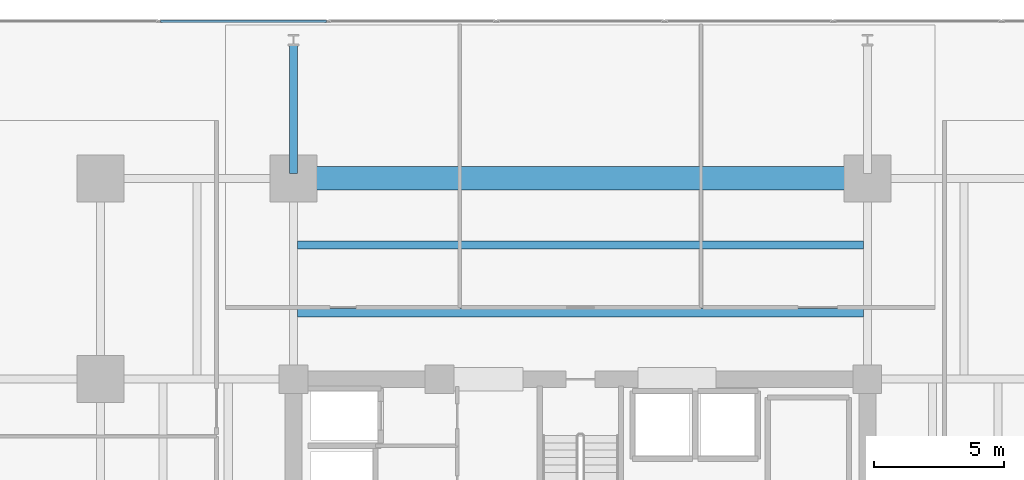
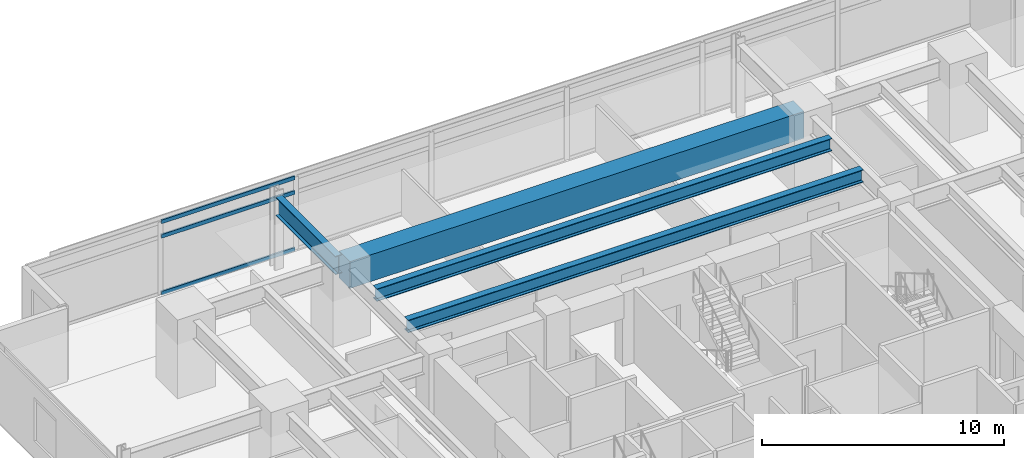
# One storey, part 9 of 23: 4 beams, 3 members, 1 element without a shape of its own.
"""IFC4 building model written with IfcOpenShell, lengths in metres."""

from ifc_helpers import new_model, si_unit, direction, frame, origin, origin_2d, place, context, subcontext, project, spatial, rectangle, hollow_rectangle, i_section, extrude, material, material_profile, profile_set, type_object, element, aggregate, save


model = new_model("IFC4")

# Units and contexts
model_context = context("Model", 3, precision=1e-05, world=origin(), true_north=direction((0.0, 1.0)))
body_context = subcontext(model_context, "Body", "Model", "MODEL_VIEW")
ifc_project = project(units=[si_unit("LENGTHUNIT", "METRE"), si_unit("AREAUNIT", "SQUARE_METRE"), si_unit("VOLUMEUNIT", "CUBIC_METRE"), si_unit("PLANEANGLEUNIT", "RADIAN"), si_unit("MASSUNIT", "GRAM", prefix="KILO")], contexts=[model_context])

# Site, building, storey
site_placement = place(None, origin())
site = spatial("IfcSite", under=ifc_project, at=site_placement, CompositionType="ELEMENT")
building_placement = place(site_placement, origin())
building = spatial("IfcBuilding", under=site, at=building_placement, Name="Kovane Verandah Tower", CompositionType="ELEMENT")
storey_placement = place(building_placement, frame((0.0, 0.0, 103.60009765625)))
storey = spatial("IfcBuildingStorey", under=building, at=storey_placement, Name="L24", CompositionType="ELEMENT", Elevation=103.60009765625)

# Beams
ifc_material_1 = material(Name="Concrete C80/95", Category="concrete")
ifc_material_profile_1 = material_profile(ifc_material_1, rectangle(XDim=0.89990234375, YDim=1.35009765625, at=origin_2d()), Name="RCB900x1350")
ifc_profile_set_1 = profile_set([ifc_material_profile_1], Name="Concrete C80/95")
beam_type_1 = type_object("IfcBeamType", Name="BM-TR-900x1350", PredefinedType="BEAM", material=ifc_profile_set_1)
beam_1_placement = place(storey_placement, frame((29.179931640625, 44.199951171875, 3.02490234375), z_axis=(1.0, 0.0, 0.0), x_axis=(0.0, 1.0, 0.0)))
element("IfcBeam", 1, at=beam_1_placement, inside=storey, type_object=beam_type_1, Name="L24 Primary Tower Girder G-RN2", PredefinedType="BEAM", context=body_context, shape_type="SweptSolid", body=[
    extrude(rectangle(XDim=0.89990234375, YDim=1.35009765625, at=origin_2d()), origin(), (0.0, 0.0, 1.0), 21.64013671875),
])
ifc_material_2 = material(Name="Steel S460", Category="steel")
ifc_material_profile_2 = material_profile(ifc_material_2, i_section(OverallWidth=0.311279296875, OverallDepth=0.6357421875, WebThickness=0.018310546875, FlangeThickness=0.031494140625, FilletRadius=0.0166015625, at=origin_2d()), Name="UB610x305x238")
ifc_profile_set_2 = profile_set([ifc_material_profile_2], Name="Steel S460")
beam_type_2 = type_object("IfcBeamType", Name="BM-UB610x238", PredefinedType="BEAM", material=ifc_profile_set_2)
for number, where, z_axis, x_axis, name in (
    (2, (29.15185546875, 39.050048828125, 3.382080078125), (1.0, 0.0, 0.0), (0.0, 1.0, 0.0), "L24 Secondary Composite Joist J-N1"),
    (3, (29.15185546875, 41.64990234375, 3.382080078125), (1.0, 0.0, 0.0), (0.0, 1.0, 0.0), "L24 Secondary Composite Joist J-N2"),
):
    element("IfcBeam", number, at=place(storey_placement, frame(where, z_axis=z_axis, x_axis=x_axis)), inside=storey, type_object=beam_type_2, Name=name, PredefinedType="BEAM", context=body_context, shape_type="SweptSolid", body=[
        extrude(i_section(OverallWidth=0.311279296875, OverallDepth=0.6357421875, WebThickness=0.018310546875, FlangeThickness=0.031494140625, FilletRadius=0.0166015625, at=origin_2d()), origin(), (0.0, 0.0, 1.0), 21.6962890625),
    ])
ifc_material_profile_3 = material_profile(ifc_material_2, i_section(OverallWidth=0.3076171875, OverallDepth=0.926513671875, WebThickness=0.01953125, FlangeThickness=0.031982421875, FilletRadius=0.01904296875, at=origin_2d()), Name="UB914x305x289")
ifc_profile_set_3 = profile_set([ifc_material_profile_3], Name="Steel S460")
beam_type_3 = type_object("IfcBeamType", Name="BM-UB914x289", PredefinedType="BEAM", material=ifc_profile_set_3)
beam_2_placement = place(storey_placement, frame((29.0, 44.3798828125, 3.236572265625), z_axis=(0.0, 1.0, 0.0), x_axis=(-1.0, 0.0, 0.0)))
element("IfcBeam", 4, at=beam_2_placement, inside=storey, type_object=beam_type_3, Name="L24 Primary Tower Girder G-VN1", PredefinedType="BEAM", context=body_context, shape_type="SweptSolid", body=[
    extrude(i_section(OverallWidth=0.3076171875, OverallDepth=0.926513671875, WebThickness=0.01953125, FlangeThickness=0.031982421875, FilletRadius=0.01904296875, at=origin_2d()), origin(), (0.0, 0.0, 1.0), 4.940185546875),
])

# Curtain wall, members
ifc_material_3 = material(Name="Champagne Anodised Aluminium Frame with Low-E Clear Laminated Glass", Category="aluminium")
curtain_wall_type = type_object("IfcCurtainWallType", Name="CW-SYS-02-LOW", PredefinedType="NOTDEFINED", material=ifc_material_3)
curtain_wall_placement = place(storey_placement, origin())
curtain_wall = element("IfcCurtainWall", 5, at=curtain_wall_placement, inside=storey, type_object=curtain_wall_type, Name="L24 N Unitised Curtain Wall", PredefinedType="NOTDEFINED")
ifc_material_4 = material(Name="Champagne Anodised Aluminium 6063-T6", Category="aluminium")
ifc_material_profile_4 = material_profile(ifc_material_4, hollow_rectangle(XDim=0.0849609375, YDim=0.18994140625, WallThickness=0.00390625, at=origin_2d()), Name="AL85x190x4")
ifc_profile_set_4 = profile_set([ifc_material_profile_4], Name="Champagne Anodised Aluminium 6063-T6")
member_type = type_object("IfcMemberType", Name="CW-TRN-85x190", PredefinedType="USERDEFINED", material=ifc_profile_set_4)
member_1_placement = place(storey_placement, frame((30.264892578125, 50.218994140625, 0.0498046875), z_axis=(-1.0, 0.0, 0.0), x_axis=(0.0, -1.0, 0.0)))
member_1 = element("IfcMember", 6, at=member_1_placement, type_object=member_type, Name="L24 N Unitised Curtain Wall Transom TB Bay 6", ObjectType="TRANSOM", PredefinedType="USERDEFINED", context=body_context, shape_type="SweptSolid", body=[
    extrude(hollow_rectangle(XDim=0.0849609375, YDim=0.18994140625, WallThickness=0.00390625, at=origin_2d()), origin(), (0.0, 0.0, 1.0), 6.356689453125),
])
member_2_placement = place(storey_placement, frame((30.264892578125, 50.218994140625, 2.919921875), z_axis=(-1.0, 0.0, 0.0), x_axis=(0.0, -1.0, 0.0)))
member_2 = element("IfcMember", 7, at=member_2_placement, type_object=member_type, Name="L24 N Unitised Curtain Wall Transom TM Bay 6", ObjectType="TRANSOM", PredefinedType="USERDEFINED", context=body_context, shape_type="SweptSolid", body=[
    extrude(hollow_rectangle(XDim=0.0849609375, YDim=0.18994140625, WallThickness=0.00390625, at=origin_2d()), origin(), (0.0, 0.0, 1.0), 6.356689453125),
])
member_3_placement = place(storey_placement, frame((30.264892578125, 50.218994140625, 3.64990234375), z_axis=(-1.0, 0.0, 0.0), x_axis=(0.0, -1.0, 0.0)))
member_3 = element("IfcMember", 8, at=member_3_placement, type_object=member_type, Name="L24 N Unitised Curtain Wall Transom TT Bay 6", ObjectType="TRANSOM", PredefinedType="USERDEFINED", context=body_context, shape_type="SweptSolid", body=[
    extrude(hollow_rectangle(XDim=0.0849609375, YDim=0.18994140625, WallThickness=0.00390625, at=origin_2d()), origin(), (0.0, 0.0, 1.0), 6.356689453125),
])
aggregate(curtain_wall, [member_1, member_2, member_3])

save(model, "model.ifc")
